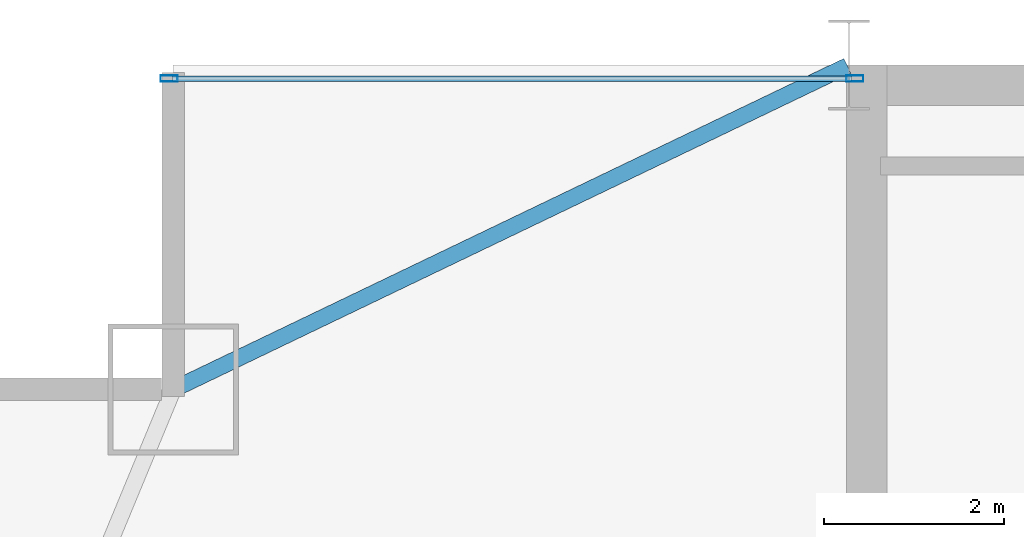
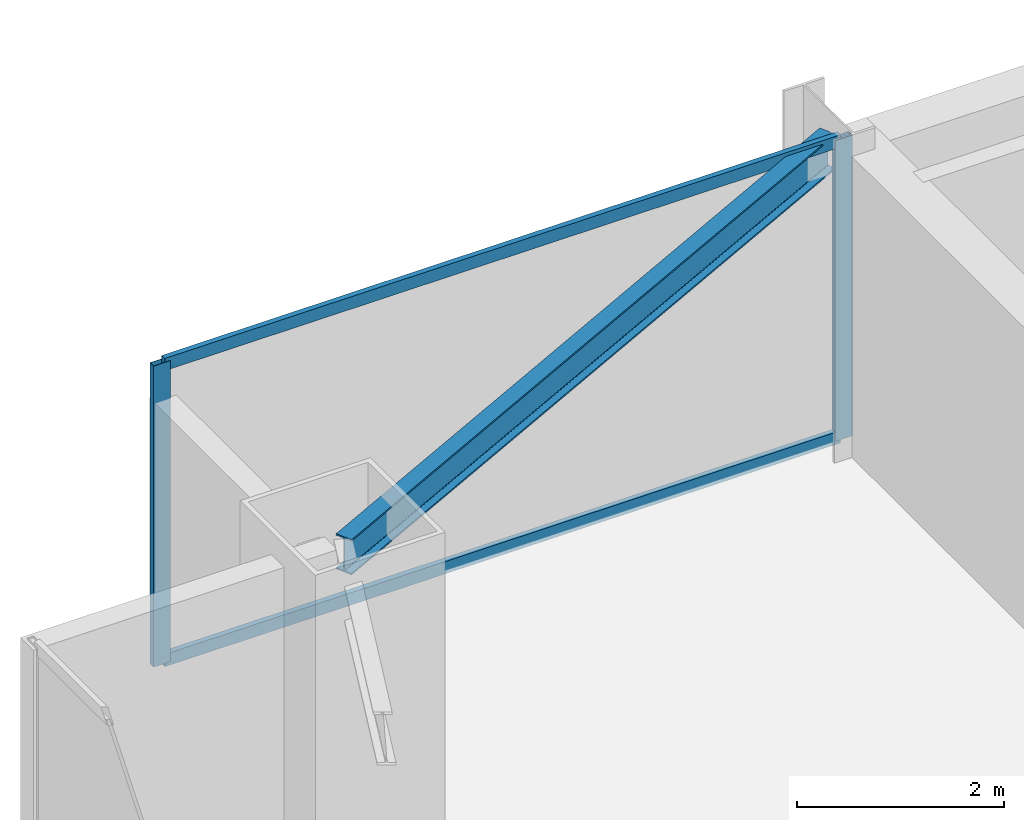
# One storey, part 22 of 32: 4 members, 1 beam, 1 element without a shape of its own.
"""IFC4 building model written with IfcOpenShell, lengths in metres."""

from ifc_helpers import new_model, si_unit, direction, frame, origin, origin_2d, place, context, subcontext, project, spatial, hollow_rectangle, i_section, extrude, source, transform, mapped, material, layer, layer_set, material_profile, profile_set, type_object, type_shapes, element, aggregate, save


model = new_model("IFC4")

# Units and contexts
model_context = context("Model", 3, precision=1e-05, world=origin(), true_north=direction((0.0, 1.0)))
body_context = subcontext(model_context, "Body", "Model", "MODEL_VIEW")
ifc_project = project(units=[si_unit("LENGTHUNIT", "METRE"), si_unit("AREAUNIT", "SQUARE_METRE"), si_unit("VOLUMEUNIT", "CUBIC_METRE"), si_unit("PLANEANGLEUNIT", "RADIAN"), si_unit("MASSUNIT", "GRAM", prefix="KILO")], contexts=[model_context])

# Site, building, storey
site_placement = place(None, origin())
site = spatial("IfcSite", under=ifc_project, at=site_placement, CompositionType="ELEMENT")
building_placement = place(site_placement, origin())
building = spatial("IfcBuilding", under=site, at=building_placement, Name="Varnel Quay Broadcast Tower", CompositionType="ELEMENT")
storey_placement = place(building_placement, frame((0.0, 0.0, 133.39990234375)))
storey = spatial("IfcBuildingStorey", under=building, at=storey_placement, Name="L32", CompositionType="ELEMENT", Elevation=133.39990234375)

# Beam
ifc_material_1 = material(Name="Structural Steel CSA G40.21 350W", Category="steel")
ifc_material_profile_1 = material_profile(ifc_material_1, i_section(OverallWidth=0.180908203125, OverallDepth=0.4169921875, WebThickness=0.010986328125, FlangeThickness=0.018310546875, FilletRadius=0.011962890625, at=origin_2d()), Name="W410X85")
ifc_profile_set_1 = profile_set([ifc_material_profile_1], Name="Structural Steel CSA G40.21 350W")
beam_type = type_object("IfcBeamType", Name="Beam_W410X85", PredefinedType="SPANDREL", material=ifc_profile_set_1)
shared_shape_1 = source(origin(), body_context, "Body", "SweptSolid", [
    extrude(i_section(OverallWidth=0.180908203125, OverallDepth=0.4169921875, WebThickness=0.010986328125, FlangeThickness=0.018310546875, FilletRadius=0.011962890625, at=origin_2d()), origin(), (0.0, 0.0, 1.0), 8.279296875),
])
type_shapes(beam_type, [shared_shape_1])
beam_placement = place(storey_placement, frame((8.117919921875, 43.208740234375, 3.341552734375), z_axis=(0.901535021024, 0.432706142626, 0.0), x_axis=(-0.432706142626, 0.901535021024, 0.0)))
element("IfcBeam", 1, at=beam_placement, inside=storey, type_object=beam_type, Name="L32 NW Tie Spandrel", PredefinedType="SPANDREL", context=body_context, shape_type="MappedRepresentation", body=[
    mapped(shared_shape_1, transform((0.0, 0.0, 0.0), x_axis=(1.0, 0.0, 0.0), y_axis=(0.0, 1.0, 0.0), z_axis=(0.0, 0.0, 1.0), scale=1.0)),
])

# Curtain wall, members
ifc_material_2 = material(Name="Anodised Bronze Aluminium 6063-T6", Category="aluminium")
ifc_layer = layer(ifc_material_2, 0.18994140625, Name="Anodised Bronze Aluminium 6063-T6")
ifc_layer_set = layer_set([ifc_layer], Name="Anodised Bronze Aluminium 6063-T6")
curtain_wall_type = type_object("IfcCurtainWallType", Name="CW_LowerTower", PredefinedType="NOTDEFINED", material=ifc_layer_set)
curtain_wall_placement = place(storey_placement, origin())
curtain_wall = element("IfcCurtainWall", 2, at=curtain_wall_placement, inside=storey, type_object=curtain_wall_type, Name="L32 NW Wing Curtain Wall", PredefinedType="NOTDEFINED")
ifc_material_profile_2 = material_profile(ifc_material_2, hollow_rectangle(XDim=0.070068359375, YDim=0.18994140625, WallThickness=0.00390625, at=origin_2d()), Name="ALU70X190X4")
ifc_profile_set_2 = profile_set([ifc_material_profile_2], Name="Anodised Bronze Aluminium 6063-T6")
member_type_1 = type_object("IfcMemberType", Name="Mull_CWS-02", PredefinedType="MULLION", material=ifc_profile_set_2)
shared_shape_2 = source(origin(), body_context, "Body", "SweptSolid", [
    extrude(hollow_rectangle(XDim=0.070068359375, YDim=0.18994140625, WallThickness=0.00390625, at=origin_2d()), origin(), (0.0, 0.0, 1.0), 3.550048828125),
])
type_shapes(member_type_1, [shared_shape_2])
member_1_placement = place(storey_placement, frame((8.054931640625, 46.64990234375, 0.0), z_axis=(0.0, 0.0, 1.0), x_axis=(0.0, 1.0, 0.0)))
member_1 = element("IfcMember", 3, at=member_1_placement, type_object=member_type_1, Name="CWS-02 mullion 1", PredefinedType="MULLION", context=body_context, shape_type="MappedRepresentation", body=[
    mapped(shared_shape_2, transform((0.0, 0.0, 0.0), x_axis=(1.0, 0.0, 0.0), y_axis=(0.0, 1.0, 0.0), z_axis=(0.0, 0.0, 1.0), scale=1.0)),
])
member_2_placement = place(storey_placement, frame((15.6650390625, 46.64990234375, 0.0), z_axis=(0.0, 0.0, 1.0), x_axis=(0.0, 1.0, 0.0)))
member_2 = element("IfcMember", 4, at=member_2_placement, type_object=member_type_1, Name="CWS-02 mullion 2", PredefinedType="MULLION", context=body_context, shape_type="MappedRepresentation", body=[
    mapped(shared_shape_2, transform((0.0, 0.0, 0.0), x_axis=(1.0, 0.0, 0.0), y_axis=(0.0, 1.0, 0.0), z_axis=(0.0, 0.0, 1.0), scale=1.0)),
])
ifc_material_profile_3 = material_profile(ifc_material_2, hollow_rectangle(XDim=0.06005859375, YDim=0.14501953125, WallThickness=0.00341796875, at=origin_2d()), Name="ALU60X145X3.5")
ifc_profile_set_3 = profile_set([ifc_material_profile_3], Name="Anodised Bronze Aluminium 6063-T6")
member_type_2 = type_object("IfcMemberType", Name="Tran_CWS-02", PredefinedType="USERDEFINED", material=ifc_profile_set_3)
shared_shape_3 = source(origin(), body_context, "Body", "SweptSolid", [
    extrude(hollow_rectangle(XDim=0.06005859375, YDim=0.14501953125, WallThickness=0.00341796875, at=origin_2d()), origin(), (0.0, 0.0, 1.0), 7.539794921875),
])
type_shapes(member_type_2, [shared_shape_3])
member_3_placement = place(storey_placement, frame((8.090087890625, 46.64990234375, 0.030029296875), z_axis=(1.0, 0.0, 0.0), x_axis=(0.0, 1.0, 0.0)))
member_3 = element("IfcMember", 5, at=member_3_placement, type_object=member_type_2, Name="CWS-02 transom 1.1", ObjectType="TRANSOM", PredefinedType="USERDEFINED", context=body_context, shape_type="MappedRepresentation", body=[
    mapped(shared_shape_3, transform((0.0, 0.0, 0.0), x_axis=(1.0, 0.0, 0.0), y_axis=(0.0, 1.0, 0.0), z_axis=(0.0, 0.0, 1.0), scale=1.0)),
])
member_4_placement = place(storey_placement, frame((8.090087890625, 46.64990234375, 3.52001953125), z_axis=(1.0, 0.0, 0.0), x_axis=(0.0, 1.0, 0.0)))
member_4 = element("IfcMember", 6, at=member_4_placement, type_object=member_type_2, Name="CWS-02 transom 1.2", ObjectType="TRANSOM", PredefinedType="USERDEFINED", context=body_context, shape_type="MappedRepresentation", body=[
    mapped(shared_shape_3, transform((0.0, 0.0, 0.0), x_axis=(1.0, 0.0, 0.0), y_axis=(0.0, 1.0, 0.0), z_axis=(0.0, 0.0, 1.0), scale=1.0)),
])
aggregate(curtain_wall, [member_1, member_2, member_3, member_4])

save(model, "model.ifc")
